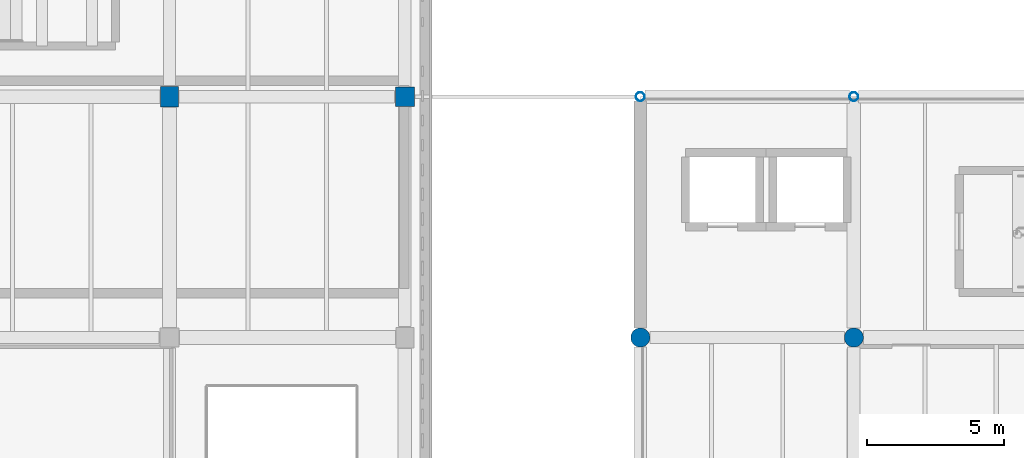
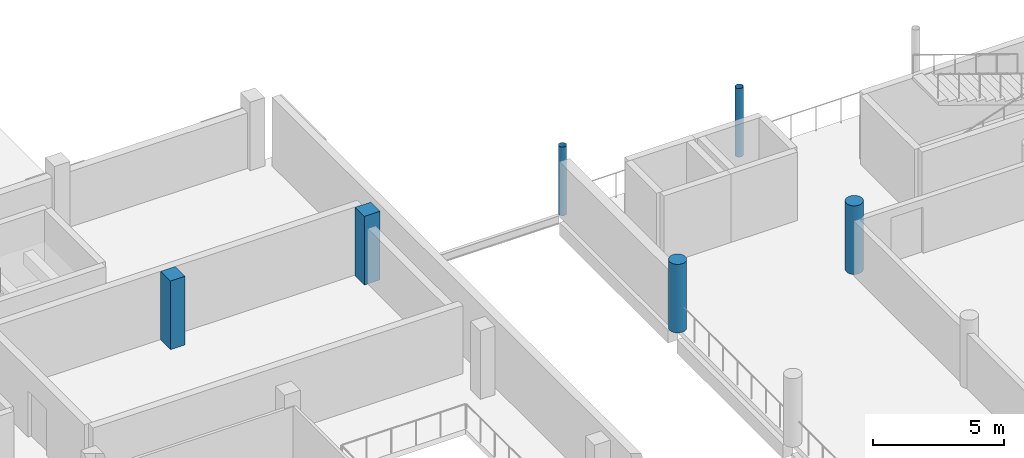
# One storey, part 3 of 55: 6 columns.
"""IFC4 building model written with IfcOpenShell, lengths in metres."""

from ifc_helpers import new_model, si_unit, direction, frame, origin, origin_2d, place, context, subcontext, project, spatial, rectangle, circle, hollow_circle, extrude, material, material_profile, profile_set, type_object, element, save


model = new_model("IFC4")

# Units and contexts
model_context = context("Model", 3, precision=1e-05, world=origin(), true_north=direction((0.0, 1.0)))
body_context = subcontext(model_context, "Body", "Model", "MODEL_VIEW")
ifc_project = project(units=[si_unit("LENGTHUNIT", "METRE"), si_unit("AREAUNIT", "SQUARE_METRE"), si_unit("VOLUMEUNIT", "CUBIC_METRE"), si_unit("PLANEANGLEUNIT", "RADIAN"), si_unit("MASSUNIT", "GRAM", prefix="KILO")], contexts=[model_context])

# Site, building, storey
site_placement = place(None, origin())
site = spatial("IfcSite", under=ifc_project, at=site_placement, CompositionType="ELEMENT")
building_placement = place(site_placement, origin())
building = spatial("IfcBuilding", under=site, at=building_placement, Name="Varnakota Cinema and Media Centre", CompositionType="ELEMENT")
storey_placement = place(building_placement, frame((0.0, 0.0, 15.60009765625)))
storey = spatial("IfcBuildingStorey", under=building, at=storey_placement, Name="L04", CompositionType="ELEMENT", Elevation=15.60009765625)

# Columns
ifc_material_1 = material(Name="Concrete M40", Category="concrete")
ifc_material_profile_1 = material_profile(ifc_material_1, rectangle(XDim=0.64990234375, YDim=0.75, at=origin_2d()), Name="RC 650x750")
ifc_profile_set_1 = profile_set([ifc_material_profile_1], Name="Concrete M40")
column_type_1 = type_object("IfcColumnType", Name="COL-RC-650x750", PredefinedType="COLUMN", material=ifc_profile_set_1)
column_1_placement = place(storey_placement, frame((34.39990234375, 26.39990234375, 0.0), z_axis=(0.0, 0.0, 1.0), x_axis=(1.0, 0.0, 0.0)))
element("IfcColumn", 1, at=column_1_placement, inside=storey, type_object=column_type_1, Name="L04 column E/4", PredefinedType="COLUMN", context=body_context, shape_type="SweptSolid", body=[
    extrude(rectangle(XDim=0.64990234375, YDim=0.75, at=origin_2d()), origin(), (0.0, 0.0, 1.0), 3.199951171875),
])
ifc_material_2 = material(Name="Concrete M40", Category="concrete")
ifc_material_profile_2 = material_profile(ifc_material_2, rectangle(XDim=0.699951171875, YDim=0.699951171875, at=origin_2d()), Name="RC 700x700")
ifc_profile_set_2 = profile_set([ifc_material_profile_2], Name="Concrete M40")
column_type_2 = type_object("IfcColumnType", Name="COL-RC-700x700", PredefinedType="COLUMN", material=ifc_profile_set_2)
column_2_placement = place(storey_placement, frame((43.0, 26.39990234375, 0.0), z_axis=(0.0, 0.0, 1.0), x_axis=(1.0, 0.0, 0.0)))
element("IfcColumn", 2, at=column_2_placement, inside=storey, type_object=column_type_2, Name="L04 column F/4", PredefinedType="COLUMN", context=body_context, shape_type="SweptSolid", body=[
    extrude(rectangle(XDim=0.699951171875, YDim=0.699951171875, at=origin_2d()), origin(), (0.0, 0.0, 1.0), 3.199951171875),
])
ifc_material_3 = material(Name="Concrete M40", Category="concrete")
ifc_material_profile_3 = material_profile(ifc_material_3, circle(Radius=0.35009765625, at=origin_2d()), Name="RC D700")
ifc_profile_set_3 = profile_set([ifc_material_profile_3], Name="Concrete M40")
column_type_3 = type_object("IfcColumnType", Name="COL-RC-D700", PredefinedType="COLUMN", material=ifc_profile_set_3)
for number, where, z_axis, x_axis, name in (
    (3, (51.60009765625, 17.60009765625, 0.0), (0.0, 0.0, 1.0), (1.0, 0.0, 0.0), "L04 column G/3"),
    (4, (59.39990234375, 17.60009765625, 0.0), (0.0, 0.0, 1.0), (1.0, 0.0, 0.0), "L04 column H/3"),
):
    element("IfcColumn", number, at=place(storey_placement, frame(where, z_axis=z_axis, x_axis=x_axis)), inside=storey, type_object=column_type_3, Name=name, PredefinedType="COLUMN", context=body_context, shape_type="SweptSolid", body=[
        extrude(circle(Radius=0.35009765625, at=origin_2d()), origin(), (0.0, 0.0, 1.0), 3.199951171875),
    ])
ifc_material_4 = material(Name="Structural steel S355 (YSt 355)", Category="steel")
ifc_material_profile_4 = material_profile(ifc_material_4, hollow_circle(Radius=0.161865234375, WallThickness=0.010009765625, at=origin_2d()), Name="CHS 323.9x10.0")
ifc_profile_set_4 = profile_set([ifc_material_profile_4], Name="Structural steel S355 (YSt 355)")
column_type_4 = type_object("IfcColumnType", Name="COL-ST-CHS324", PredefinedType="COLUMN", material=ifc_profile_set_4)
for number, where, z_axis, x_axis, name in (
    (5, (51.60009765625, 26.39990234375, 0.0), (0.0, 0.0, 1.0), (1.0, 0.0, 0.0), "L04 column G/4"),
    (6, (59.39990234375, 26.39990234375, 0.0), (0.0, 0.0, 1.0), (1.0, 0.0, 0.0), "L04 column H/4"),
):
    element("IfcColumn", number, at=place(storey_placement, frame(where, z_axis=z_axis, x_axis=x_axis)), inside=storey, type_object=column_type_4, Name=name, PredefinedType="COLUMN", context=body_context, shape_type="SweptSolid", body=[
        extrude(hollow_circle(Radius=0.161865234375, WallThickness=0.010009765625, at=origin_2d()), origin(), (0.0, 0.0, 1.0), 3.199951171875),
    ])

save(model, "model.ifc")
